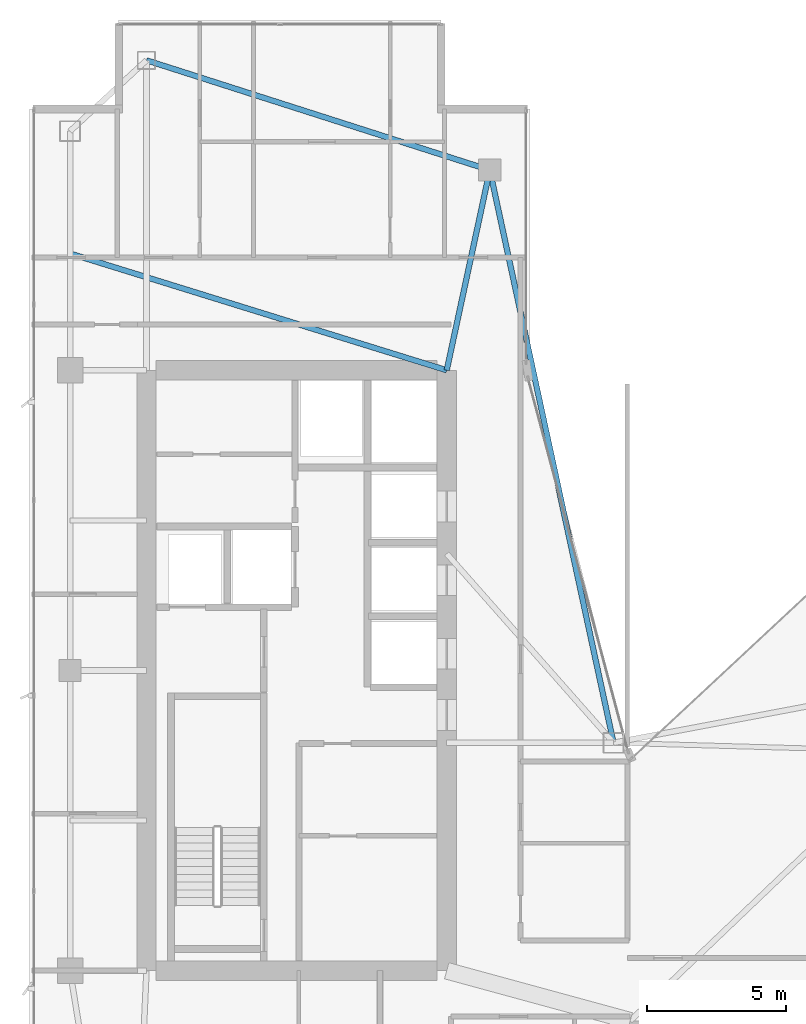
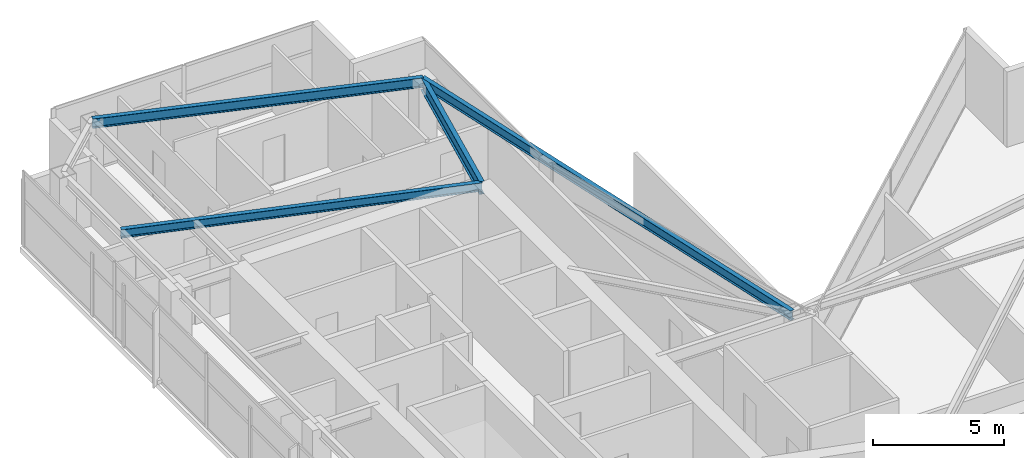
# One storey, part 17 of 27: 4 beams.
"""IFC4 building model written with IfcOpenShell, lengths in metres."""

from ifc_helpers import new_model, si_unit, direction, frame, origin, origin_2d, place, context, subcontext, project, spatial, i_section, extrude, material, material_profile, profile_set, type_object, element, save


model = new_model("IFC4")

# Units and contexts
model_context = context("Model", 3, precision=1e-05, world=origin(), true_north=direction((0.0, 1.0)))
body_context = subcontext(model_context, "Body", "Model", "MODEL_VIEW")
ifc_project = project(units=[si_unit("LENGTHUNIT", "METRE"), si_unit("AREAUNIT", "SQUARE_METRE"), si_unit("VOLUMEUNIT", "CUBIC_METRE"), si_unit("PLANEANGLEUNIT", "RADIAN"), si_unit("MASSUNIT", "GRAM", prefix="KILO")], contexts=[model_context])

# Site, building, storey
site_placement = place(None, origin())
site = spatial("IfcSite", under=ifc_project, at=site_placement, CompositionType="ELEMENT")
building_placement = place(site_placement, origin())
building = spatial("IfcBuilding", under=site, at=building_placement, Name="Calvorn Quay Hotel", CompositionType="ELEMENT")
storey_placement = place(building_placement, frame((0.0, 0.0, 230.699951171875)))
storey = spatial("IfcBuildingStorey", under=building, at=storey_placement, Name="L57", CompositionType="ELEMENT", Elevation=230.699951171875)

# Beams
ifc_material_1 = material(Name="Steel Q355B", Category="steel")
ifc_material_profile_1 = material_profile(ifc_material_1, i_section(OverallWidth=0.199951171875, OverallDepth=0.60009765625, WebThickness=0.010986328125, FlangeThickness=0.01708984375, FilletRadius=0.01806640625, at=origin_2d()), Name="HN600x200x11x17")
ifc_profile_set_1 = profile_set([ifc_material_profile_1], Name="Steel Q355B")
beam_type_1 = type_object("IfcBeamType", Name="BM-GIRD-TYP", PredefinedType="BEAM", material=ifc_profile_set_1)
beam_1_placement = place(storey_placement, frame((16.550048828125, 45.60009765625, 3.219970703125), z_axis=(-0.210457140491, -0.97760308511, 0.0), x_axis=(0.97760308511, -0.210457140491, 0.0)))
element("IfcBeam", 1, at=beam_1_placement, inside=storey, type_object=beam_type_1, Name="Beam BG-L57-W6", PredefinedType="BEAM", context=body_context, shape_type="SweptSolid", body=[
    extrude(i_section(OverallWidth=0.199951171875, OverallDepth=0.60009765625, WebThickness=0.010986328125, FlangeThickness=0.01708984375, FilletRadius=0.01806640625, at=origin_2d()), origin(), (0.0, 0.0, 1.0), 7.365234375),
])
ifc_material_2 = material(Name="Steel Q355B", Category="steel")
ifc_material_profile_2 = material_profile(ifc_material_2, i_section(OverallWidth=0.199951171875, OverallDepth=0.39990234375, WebThickness=0.008056640625, FlangeThickness=0.012939453125, FilletRadius=0.01611328125, at=origin_2d()), Name="HN400x200x8x13")
ifc_profile_set_2 = profile_set([ifc_material_profile_2], Name="Steel Q355B")
beam_type_2 = type_object("IfcBeamType", Name="BM-JOIST-TYP", PredefinedType="JOIST", material=ifc_profile_set_2)
beam_2_placement = place(storey_placement, frame((1.449951171875, 42.60009765625, 3.320068359375), z_axis=(0.955163702122, -0.296078202759, 0.0), x_axis=(0.296078202759, 0.955163702122, 0.0)))
element("IfcBeam", 2, at=beam_2_placement, inside=storey, type_object=beam_type_2, Name="Beam BJ-L57-W2", PredefinedType="JOIST", context=body_context, shape_type="SweptSolid", body=[
    extrude(i_section(OverallWidth=0.199951171875, OverallDepth=0.39990234375, WebThickness=0.008056640625, FlangeThickness=0.012939453125, FilletRadius=0.01611328125, at=origin_2d()), origin(), (0.0, 0.0, 1.0), 14.18603515625),
])
ifc_material_3 = material(Name="Steel Q355B", Category="steel")
ifc_material_profile_3 = material_profile(ifc_material_3, i_section(OverallWidth=0.199951171875, OverallDepth=0.449951171875, WebThickness=0.009033203125, FlangeThickness=0.013916015625, FilletRadius=0.01611328125, at=origin_2d()), Name="HN450x200x9x14")
ifc_profile_set_3 = profile_set([ifc_material_profile_3], Name="Steel Q355B")
beam_type_3 = type_object("IfcBeamType", Name="BM-SPANDREL-Z3", PredefinedType="SPANDREL", material=ifc_profile_set_3)
beam_3_placement = place(storey_placement, frame((4.199951171875, 49.550048828125, 3.295166015625), z_axis=(0.952470702374, -0.304630203885, 0.0), x_axis=(0.304630203885, 0.952470702374, 0.0)))
element("IfcBeam", 3, at=beam_3_placement, inside=storey, type_object=beam_type_3, Name="Beam BSP-L57-W6", PredefinedType="SPANDREL", context=body_context, shape_type="SweptSolid", body=[
    extrude(i_section(OverallWidth=0.199951171875, OverallDepth=0.449951171875, WebThickness=0.009033203125, FlangeThickness=0.013916015625, FilletRadius=0.01611328125, at=origin_2d()), origin(), (0.0, 0.0, 1.0), 12.96630859375),
])
beam_4_placement = place(storey_placement, frame((16.550048828125, 45.60009765625, 3.295166015625), z_axis=(0.211145848376, -0.977454567084, 0.0), x_axis=(0.977454567084, 0.211145848376, 0.0)))
element("IfcBeam", 4, at=beam_4_placement, inside=storey, type_object=beam_type_3, Name="Beam BSP-L57-W7", PredefinedType="SPANDREL", context=body_context, shape_type="SweptSolid", body=[
    extrude(i_section(OverallWidth=0.199951171875, OverallDepth=0.449951171875, WebThickness=0.009033203125, FlangeThickness=0.013916015625, FilletRadius=0.01611328125, at=origin_2d()), origin(), (0.0, 0.0, 1.0), 21.0751953125),
])

save(model, "model.ifc")
